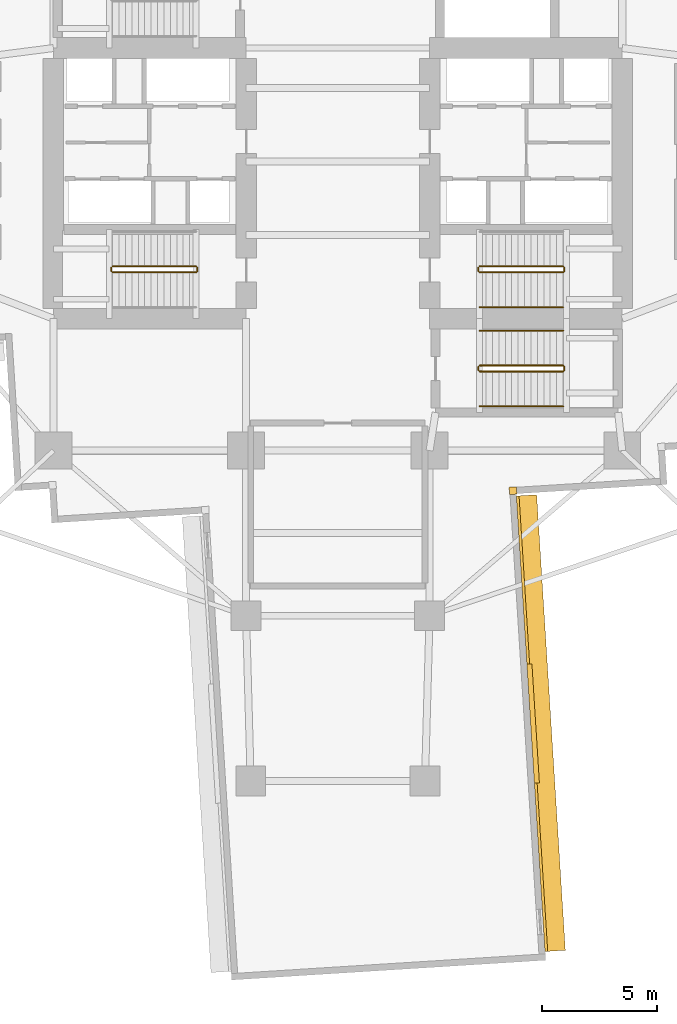
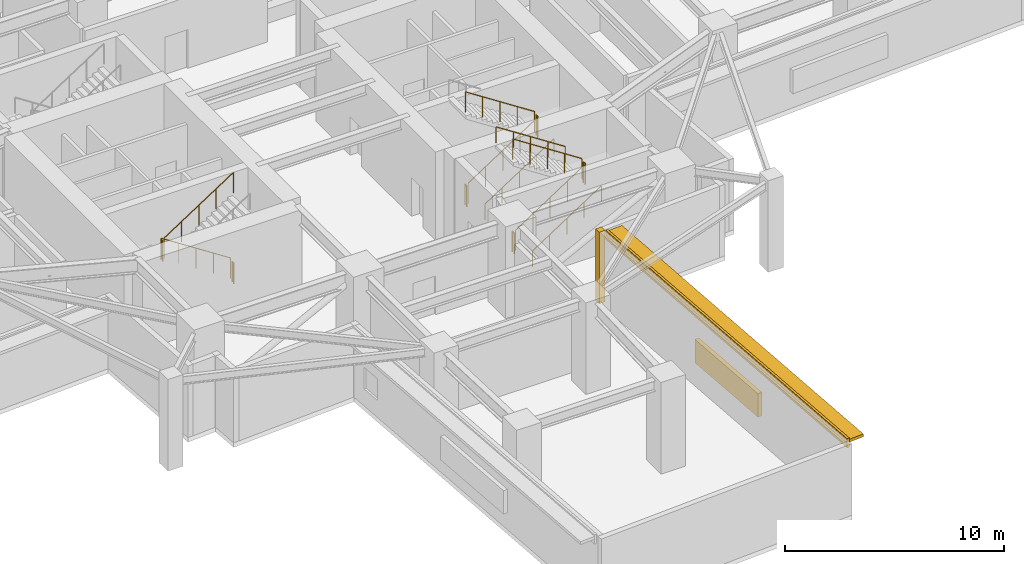
# One storey, part 8 of 11: 15 railings, 2 coverings, 2 shading devices.
"""IFC4 building model written with IfcOpenShell, lengths in metres."""

from ifc_helpers import new_model, si_unit, direction, frame, origin, origin_2d, place, context, subcontext, project, spatial, rectangle, circle, extrude, material, layer, layer_set, type_object, element, save


model = new_model("IFC4")

# Units and contexts
model_context = context("Model", 3, precision=1e-05, world=origin(), true_north=direction((0.0, 1.0)))
body_context = subcontext(model_context, "Body", "Model", "MODEL_VIEW")
ifc_project = project(units=[si_unit("LENGTHUNIT", "METRE"), si_unit("AREAUNIT", "SQUARE_METRE"), si_unit("VOLUMEUNIT", "CUBIC_METRE"), si_unit("PLANEANGLEUNIT", "RADIAN"), si_unit("MASSUNIT", "GRAM", prefix="KILO")], contexts=[model_context])

# Site, building, storey
site_placement = place(None, origin())
site = spatial("IfcSite", under=ifc_project, at=site_placement, CompositionType="ELEMENT")
building_placement = place(site_placement, origin())
building = spatial("IfcBuilding", under=site, at=building_placement, Name="Qingluan Cross Belvedere", CompositionType="ELEMENT")
storey_placement = place(building_placement, frame((0.0, 0.0, 47.10009765625)))
storey = spatial("IfcBuildingStorey", under=building, at=storey_placement, Name="L12", CompositionType="ELEMENT", Elevation=47.10009765625)

# Coverings
ifc_material_1 = material(Name="Precast concrete C45", Category="concrete")
ifc_layer_1 = layer(ifc_material_1, 0.1201171875, Name="ConcreteSpandrelCladding_120")
ifc_layer_set_1 = layer_set([ifc_layer_1], Name="Precast concrete C45")
covering_type = type_object("IfcCoveringType", Name="ConcreteSpandrelCladding_120", PredefinedType="CLADDING", material=ifc_layer_set_1)
covering_1_placement = place(storey_placement, frame((8.465576171875, -24.5068359375, 3.519775390625), z_axis=(0.0, 0.0, 1.0), x_axis=(-0.062791158819, 0.998026688207, 0.0)))
element("IfcCovering", 1, at=covering_1_placement, inside=storey, type_object=covering_type, Name="Spandrel cladding L12-SB", PredefinedType="CLADDING", context=body_context, shape_type="SweptSolid", body=[
    extrude(rectangle(XDim=19.89990234375, YDim=0.1201171875, at=origin_2d()), origin(), (0.0, 0.0, 1.0), 0.52001953125),
])
covering_2_placement = place(storey_placement, frame((7.635986328125, -14.348876953125, 0.0), z_axis=(0.0, 0.0, 1.0), x_axis=(0.998026728428, 0.062790519529, 0.0)))
element("IfcCovering", 2, at=covering_2_placement, inside=storey, type_object=covering_type, Name="Corner closure L12-SE2", PredefinedType="CLADDING", context=body_context, shape_type="SweptSolid", body=[
    extrude(rectangle(XDim=0.320068359375, YDim=0.320068359375, at=origin_2d()), origin(), (0.0, 0.0, 1.0), 3.97998046875),
])

# Shading devices
ifc_material_2 = material(Name="Precast concrete C45", Category="concrete")
ifc_layer_2 = layer(ifc_material_2, 0.159912109375, Name="ConcreteSunshadeBand_900")
ifc_layer_set_2 = layer_set([ifc_layer_2], Name="Precast concrete C45")
shading_device_type_1 = type_object("IfcShadingDeviceType", Name="ConcreteSunshadeBand_900", PredefinedType="USERDEFINED", material=ifc_layer_set_2)
shading_device_1_placement = place(storey_placement, frame((8.8447265625, -24.48291015625, 3.7998046875), z_axis=(0.0, 0.0, 1.0), x_axis=(-0.062791158819, 0.998026688207, 0.0)))
element("IfcShadingDevice", 3, at=shading_device_1_placement, inside=storey, type_object=shading_device_type_1, Name="Concrete SUNSHADE L12-SB", ObjectType="SUNSHADE", PredefinedType="USERDEFINED", context=body_context, shape_type="SweptSolid", body=[
    extrude(rectangle(XDim=19.89990234375, YDim=0.89990234375, at=origin_2d()), origin(), (0.0, 0.0, 1.0), 0.159912109375),
])
ifc_material_3 = material(Name="Anodised aluminium acoustic louvre screen", Category="aluminium")
ifc_layer_3 = layer(ifc_material_3, 0.219970703125, Name="RefugeAcousticLouvre_Screen")
ifc_layer_set_3 = layer_set([ifc_layer_3], Name="Anodised aluminium acoustic louvre screen")
shading_device_type_2 = type_object("IfcShadingDeviceType", Name="RefugeAcousticLouvre_Screen", PredefinedType="JALOUSIE", material=ifc_layer_set_3)
shading_device_2_placement = place(storey_placement, frame((8.515380859375, -24.503662109375, 0.94970703125), z_axis=(0.0, 0.0, 1.0), x_axis=(-0.062791158819, 0.998026688207, 0.0)))
element("IfcShadingDevice", 4, at=shading_device_2_placement, inside=storey, type_object=shading_device_type_2, Name="Plant acoustic louvre SCREEN L12-SB", PredefinedType="JALOUSIE", context=body_context, shape_type="SweptSolid", body=[
    extrude(rectangle(XDim=5.199951171875, YDim=0.219970703125, at=origin_2d()), origin(), (0.0, 0.0, 1.0), 1.300048828125),
])

# Railings
ifc_material_4 = material(Name="Brushed stainless steel tubular handrail", Category="steel")
railing_type_1 = type_object("IfcRailingType", Name="StairPitchHandrail_900", PredefinedType="HANDRAIL", material=ifc_material_4)
for number, where, name in (
    (5, (6.179931640625, -6.35009765625, 0.18212890625), "L12 ST2 stair handrail 1"),
    (6, (6.179931640625, -10.669921875, 0.18212890625), "L12 ST4 stair handrail 1"),
):
    element("IfcRailing", number, at=place(storey_placement, frame(where)), inside=storey, type_object=railing_type_1, Name=name, PredefinedType="HANDRAIL", context=body_context, shape_type="SweptSolid", body=[
        extrude(circle(Radius=0.02392578125, at=origin_2d()), frame((0.0, 0.0, 0.8759765625), z_axis=(0.838276589377, 0.0, 0.545245228959), x_axis=(0.0, 1.0, 0.0)), (0.0, 0.0, 1.0), 4.34228515625),
        extrude(circle(Radius=0.02099609375, at=origin_2d()), origin(), (0.0, 0.0, 1.0), 0.851806640625),
        extrude(circle(Radius=0.02099609375, at=origin_2d()), frame((0.91015625, 0.0, 0.591796875)), (0.0, 0.0, 1.0), 0.851806640625),
        extrude(circle(Radius=0.02099609375, at=origin_2d()), frame((1.820068359375, 0.0, 1.183837890625)), (0.0, 0.0, 1.0), 0.851806640625),
        extrude(circle(Radius=0.02099609375, at=origin_2d()), frame((2.72998046875, 0.0, 1.77587890625)), (0.0, 0.0, 1.0), 0.851806640625),
        extrude(circle(Radius=0.02099609375, at=origin_2d()), frame((3.64013671875, 0.0, 2.36767578125)), (0.0, 0.0, 1.0), 0.851806640625),
    ])
railing_1_placement = place(storey_placement, frame((9.820068359375, -7.3701171875, 2.73193359375)))
element("IfcRailing", 7, at=railing_1_placement, inside=storey, type_object=railing_type_1, Name="L12 ST4 stair handrail 2", PredefinedType="HANDRAIL", context=body_context, shape_type="SweptSolid", body=[
    extrude(circle(Radius=0.02392578125, at=origin_2d()), frame((0.0, 0.0, 0.8759765625), z_axis=(-0.83825089185, 0.0, 0.545284735081), x_axis=(0.0, -1.0, 0.0)), (0.0, 0.0, 1.0), 4.342529296875),
    extrude(circle(Radius=0.02099609375, at=origin_2d()), origin(), (0.0, 0.0, 1.0), 0.851806640625),
    extrude(circle(Radius=0.02099609375, at=origin_2d()), frame((-0.91015625, 0.0, 0.592041015625)), (0.0, 0.0, 1.0), 0.851806640625),
    extrude(circle(Radius=0.02099609375, at=origin_2d()), frame((-1.820068359375, 0.0, 1.18408203125)), (0.0, 0.0, 1.0), 0.851806640625),
    extrude(circle(Radius=0.02099609375, at=origin_2d()), frame((-2.72998046875, 0.0, 1.77587890625)), (0.0, 0.0, 1.0), 0.851806640625),
    extrude(circle(Radius=0.02099609375, at=origin_2d()), frame((-3.64013671875, 0.0, 2.367919921875)), (0.0, 0.0, 1.0), 0.851806640625),
])
ifc_material_5 = material(Name="Painted steel stair well guard", Category="steel")
railing_type_2 = type_object("IfcRailingType", Name="StairWellGuard_1150", PredefinedType="BALUSTRADE", material=ifc_material_5)
railing_2_placement = place(storey_placement, frame((-6.179931640625, -4.570068359375, 0.18212890625)))
element("IfcRailing", 8, at=railing_2_placement, inside=storey, type_object=railing_type_2, Name="L12 ST1 stair guard 1", PredefinedType="BALUSTRADE", context=body_context, shape_type="SweptSolid", body=[
    extrude(circle(Radius=0.02392578125, at=origin_2d()), frame((0.0, 0.0, 1.1259765625), z_axis=(-0.838276589377, 0.0, 0.545245228959), x_axis=(0.0, -1.0, 0.0)), (0.0, 0.0, 1.0), 4.34228515625),
    extrude(circle(Radius=0.02099609375, at=origin_2d()), origin(), (0.0, 0.0, 1.0), 1.101806640625),
    extrude(circle(Radius=0.02099609375, at=origin_2d()), frame((-0.91015625, 0.0, 0.591796875)), (0.0, 0.0, 1.0), 1.101806640625),
    extrude(circle(Radius=0.02099609375, at=origin_2d()), frame((-1.820068359375, 0.0, 1.183837890625)), (0.0, 0.0, 1.0), 1.101806640625),
    extrude(circle(Radius=0.02099609375, at=origin_2d()), frame((-2.72998046875, 0.0, 1.77587890625)), (0.0, 0.0, 1.0), 1.101806640625),
    extrude(circle(Radius=0.02099609375, at=origin_2d()), frame((-3.64013671875, 0.0, 2.36767578125)), (0.0, 0.0, 1.0), 1.101806640625),
])
railing_3_placement = place(storey_placement, frame((-9.8701171875, -4.6201171875, 2.5498046875)))
element("IfcRailing", 9, at=railing_3_placement, inside=storey, type_object=railing_type_2, Name="L12 ST1 stair guard 2", PredefinedType="BALUSTRADE", context=body_context, shape_type="SweptSolid", body=[
    extrude(circle(Radius=0.02392578125, at=origin_2d()), frame((0.0, 0.0, 1.1259765625), z_axis=(0.0, -1.0, 0.0), x_axis=(1.0, 0.0, 0.0)), (0.0, 0.0, 1.0), 0.159912109375),
    extrude(circle(Radius=0.02099609375, at=origin_2d()), origin(), (0.0, 0.0, 1.0), 1.101806640625),
    extrude(circle(Radius=0.02099609375, at=origin_2d()), frame((0.0, -0.159912109375, 0.0)), (0.0, 0.0, 1.0), 1.101806640625),
])
railing_4_placement = place(storey_placement, frame((-9.820068359375, -4.830078125, 2.73193359375)))
element("IfcRailing", 10, at=railing_4_placement, inside=storey, type_object=railing_type_2, Name="L12 ST1 stair guard 3", PredefinedType="BALUSTRADE", context=body_context, shape_type="SweptSolid", body=[
    extrude(circle(Radius=0.02392578125, at=origin_2d()), frame((0.0, 0.0, 1.1259765625), z_axis=(0.83825089185, 0.0, 0.545284735081), x_axis=(0.0, 1.0, 0.0)), (0.0, 0.0, 1.0), 4.342529296875),
    extrude(circle(Radius=0.02099609375, at=origin_2d()), origin(), (0.0, 0.0, 1.0), 1.101806640625),
    extrude(circle(Radius=0.02099609375, at=origin_2d()), frame((0.91015625, 0.0, 0.592041015625)), (0.0, 0.0, 1.0), 1.101806640625),
    extrude(circle(Radius=0.02099609375, at=origin_2d()), frame((1.820068359375, 0.0, 1.18408203125)), (0.0, 0.0, 1.0), 1.101806640625),
    extrude(circle(Radius=0.02099609375, at=origin_2d()), frame((2.72998046875, 0.0, 1.77587890625)), (0.0, 0.0, 1.0), 1.101806640625),
    extrude(circle(Radius=0.02099609375, at=origin_2d()), frame((3.64013671875, 0.0, 2.367919921875)), (0.0, 0.0, 1.0), 1.101806640625),
])
railing_5_placement = place(storey_placement, frame((-6.1298828125, -4.6201171875, 0.0)))
element("IfcRailing", 11, at=railing_5_placement, inside=storey, type_object=railing_type_2, Name="L12 ST1 stair guard 4", PredefinedType="BALUSTRADE", context=body_context, shape_type="SweptSolid", body=[
    extrude(circle(Radius=0.02392578125, at=origin_2d()), frame((0.0, 0.0, 1.1259765625), z_axis=(0.0, -1.0, 0.0), x_axis=(1.0, 0.0, 0.0)), (0.0, 0.0, 1.0), 0.159912109375),
    extrude(circle(Radius=0.02099609375, at=origin_2d()), origin(), (0.0, 0.0, 1.0), 1.101806640625),
    extrude(circle(Radius=0.02099609375, at=origin_2d()), frame((0.0, -0.159912109375, 0.0)), (0.0, 0.0, 1.0), 1.101806640625),
])
railing_6_placement = place(storey_placement, frame((6.179931640625, -4.830078125, 0.18212890625)))
element("IfcRailing", 12, at=railing_6_placement, inside=storey, type_object=railing_type_2, Name="L12 ST2 stair guard 1", PredefinedType="BALUSTRADE", context=body_context, shape_type="SweptSolid", body=[
    extrude(circle(Radius=0.02392578125, at=origin_2d()), frame((0.0, 0.0, 1.1259765625), z_axis=(0.838276589377, 0.0, 0.545245228959), x_axis=(0.0, 1.0, 0.0)), (0.0, 0.0, 1.0), 4.34228515625),
    extrude(circle(Radius=0.02099609375, at=origin_2d()), origin(), (0.0, 0.0, 1.0), 1.101806640625),
    extrude(circle(Radius=0.02099609375, at=origin_2d()), frame((0.91015625, 0.0, 0.591796875)), (0.0, 0.0, 1.0), 1.101806640625),
    extrude(circle(Radius=0.02099609375, at=origin_2d()), frame((1.820068359375, 0.0, 1.183837890625)), (0.0, 0.0, 1.0), 1.101806640625),
    extrude(circle(Radius=0.02099609375, at=origin_2d()), frame((2.72998046875, 0.0, 1.77587890625)), (0.0, 0.0, 1.0), 1.101806640625),
    extrude(circle(Radius=0.02099609375, at=origin_2d()), frame((3.64013671875, 0.0, 2.36767578125)), (0.0, 0.0, 1.0), 1.101806640625),
])
railing_7_placement = place(storey_placement, frame((9.8701171875, -4.780029296875, 2.5498046875)))
element("IfcRailing", 13, at=railing_7_placement, inside=storey, type_object=railing_type_2, Name="L12 ST2 stair guard 2", PredefinedType="BALUSTRADE", context=body_context, shape_type="SweptSolid", body=[
    extrude(circle(Radius=0.02392578125, at=origin_2d()), frame((0.0, 0.0, 1.1259765625), z_axis=(0.0, 1.0, 0.0), x_axis=(-1.0, 0.0, 0.0)), (0.0, 0.0, 1.0), 0.159912109375),
    extrude(circle(Radius=0.02099609375, at=origin_2d()), origin(), (0.0, 0.0, 1.0), 1.101806640625),
    extrude(circle(Radius=0.02099609375, at=origin_2d()), frame((0.0, 0.159912109375, 0.0)), (0.0, 0.0, 1.0), 1.101806640625),
])
railing_8_placement = place(storey_placement, frame((9.820068359375, -4.570068359375, 2.73193359375)))
element("IfcRailing", 14, at=railing_8_placement, inside=storey, type_object=railing_type_2, Name="L12 ST2 stair guard 3", PredefinedType="BALUSTRADE", context=body_context, shape_type="SweptSolid", body=[
    extrude(circle(Radius=0.02392578125, at=origin_2d()), frame((0.0, 0.0, 1.1259765625), z_axis=(-0.83825089185, 0.0, 0.545284735081), x_axis=(0.0, -1.0, 0.0)), (0.0, 0.0, 1.0), 4.342529296875),
    extrude(circle(Radius=0.02099609375, at=origin_2d()), origin(), (0.0, 0.0, 1.0), 1.101806640625),
    extrude(circle(Radius=0.02099609375, at=origin_2d()), frame((-0.91015625, 0.0, 0.592041015625)), (0.0, 0.0, 1.0), 1.101806640625),
    extrude(circle(Radius=0.02099609375, at=origin_2d()), frame((-1.820068359375, 0.0, 1.18408203125)), (0.0, 0.0, 1.0), 1.101806640625),
    extrude(circle(Radius=0.02099609375, at=origin_2d()), frame((-2.72998046875, 0.0, 1.77587890625)), (0.0, 0.0, 1.0), 1.101806640625),
    extrude(circle(Radius=0.02099609375, at=origin_2d()), frame((-3.64013671875, 0.0, 2.367919921875)), (0.0, 0.0, 1.0), 1.101806640625),
])
railing_9_placement = place(storey_placement, frame((6.1298828125, -4.780029296875, 0.0)))
element("IfcRailing", 15, at=railing_9_placement, inside=storey, type_object=railing_type_2, Name="L12 ST2 stair guard 4", PredefinedType="BALUSTRADE", context=body_context, shape_type="SweptSolid", body=[
    extrude(circle(Radius=0.02392578125, at=origin_2d()), frame((0.0, 0.0, 1.1259765625), z_axis=(0.0, 1.0, 0.0), x_axis=(-1.0, 0.0, 0.0)), (0.0, 0.0, 1.0), 0.159912109375),
    extrude(circle(Radius=0.02099609375, at=origin_2d()), origin(), (0.0, 0.0, 1.0), 1.101806640625),
    extrude(circle(Radius=0.02099609375, at=origin_2d()), frame((0.0, 0.159912109375, 0.0)), (0.0, 0.0, 1.0), 1.101806640625),
])
railing_10_placement = place(storey_placement, frame((6.179931640625, -9.14990234375, 0.18212890625)))
element("IfcRailing", 16, at=railing_10_placement, inside=storey, type_object=railing_type_2, Name="L12 ST4 stair guard 1", PredefinedType="BALUSTRADE", context=body_context, shape_type="SweptSolid", body=[
    extrude(circle(Radius=0.02392578125, at=origin_2d()), frame((0.0, 0.0, 1.1259765625), z_axis=(0.838276589377, 0.0, 0.545245228959), x_axis=(0.0, 1.0, 0.0)), (0.0, 0.0, 1.0), 4.34228515625),
    extrude(circle(Radius=0.02099609375, at=origin_2d()), origin(), (0.0, 0.0, 1.0), 1.101806640625),
    extrude(circle(Radius=0.02099609375, at=origin_2d()), frame((0.91015625, 0.0, 0.591796875)), (0.0, 0.0, 1.0), 1.101806640625),
    extrude(circle(Radius=0.02099609375, at=origin_2d()), frame((1.820068359375, 0.0, 1.183837890625)), (0.0, 0.0, 1.0), 1.101806640625),
    extrude(circle(Radius=0.02099609375, at=origin_2d()), frame((2.72998046875, 0.0, 1.77587890625)), (0.0, 0.0, 1.0), 1.101806640625),
    extrude(circle(Radius=0.02099609375, at=origin_2d()), frame((3.64013671875, 0.0, 2.36767578125)), (0.0, 0.0, 1.0), 1.101806640625),
])
railing_11_placement = place(storey_placement, frame((9.8701171875, -9.10009765625, 2.5498046875)))
element("IfcRailing", 17, at=railing_11_placement, inside=storey, type_object=railing_type_2, Name="L12 ST4 stair guard 2", PredefinedType="BALUSTRADE", context=body_context, shape_type="SweptSolid", body=[
    extrude(circle(Radius=0.02392578125, at=origin_2d()), frame((0.0, 0.0, 1.1259765625), z_axis=(0.0, 1.0, 0.0), x_axis=(-1.0, 0.0, 0.0)), (0.0, 0.0, 1.0), 0.16015625),
    extrude(circle(Radius=0.02099609375, at=origin_2d()), origin(), (0.0, 0.0, 1.0), 1.101806640625),
    extrude(circle(Radius=0.02099609375, at=origin_2d()), frame((0.0, 0.16015625, 0.0)), (0.0, 0.0, 1.0), 1.101806640625),
])
railing_12_placement = place(storey_placement, frame((9.820068359375, -8.889892578125, 2.73193359375)))
element("IfcRailing", 18, at=railing_12_placement, inside=storey, type_object=railing_type_2, Name="L12 ST4 stair guard 3", PredefinedType="BALUSTRADE", context=body_context, shape_type="SweptSolid", body=[
    extrude(circle(Radius=0.02392578125, at=origin_2d()), frame((0.0, 0.0, 1.1259765625), z_axis=(-0.83825089185, 0.0, 0.545284735081), x_axis=(0.0, -1.0, 0.0)), (0.0, 0.0, 1.0), 4.342529296875),
    extrude(circle(Radius=0.02099609375, at=origin_2d()), origin(), (0.0, 0.0, 1.0), 1.101806640625),
    extrude(circle(Radius=0.02099609375, at=origin_2d()), frame((-0.91015625, 0.0, 0.592041015625)), (0.0, 0.0, 1.0), 1.101806640625),
    extrude(circle(Radius=0.02099609375, at=origin_2d()), frame((-1.820068359375, 0.0, 1.18408203125)), (0.0, 0.0, 1.0), 1.101806640625),
    extrude(circle(Radius=0.02099609375, at=origin_2d()), frame((-2.72998046875, 0.0, 1.77587890625)), (0.0, 0.0, 1.0), 1.101806640625),
    extrude(circle(Radius=0.02099609375, at=origin_2d()), frame((-3.64013671875, 0.0, 2.367919921875)), (0.0, 0.0, 1.0), 1.101806640625),
])
railing_13_placement = place(storey_placement, frame((6.1298828125, -9.10009765625, 0.0)))
element("IfcRailing", 19, at=railing_13_placement, inside=storey, type_object=railing_type_2, Name="L12 ST4 stair guard 4", PredefinedType="BALUSTRADE", context=body_context, shape_type="SweptSolid", body=[
    extrude(circle(Radius=0.02392578125, at=origin_2d()), frame((0.0, 0.0, 1.1259765625), z_axis=(0.0, 1.0, 0.0), x_axis=(-1.0, 0.0, 0.0)), (0.0, 0.0, 1.0), 0.16015625),
    extrude(circle(Radius=0.02099609375, at=origin_2d()), origin(), (0.0, 0.0, 1.0), 1.101806640625),
    extrude(circle(Radius=0.02099609375, at=origin_2d()), frame((0.0, 0.16015625, 0.0)), (0.0, 0.0, 1.0), 1.101806640625),
])

save(model, "model.ifc")
